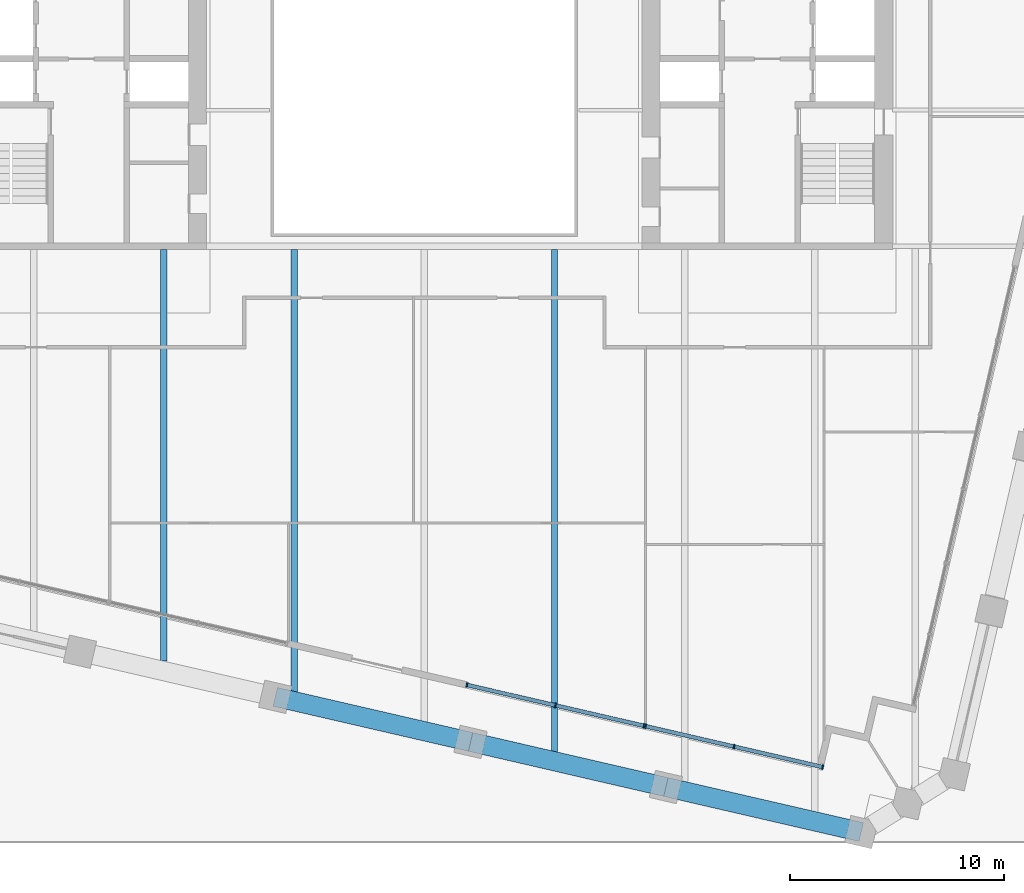
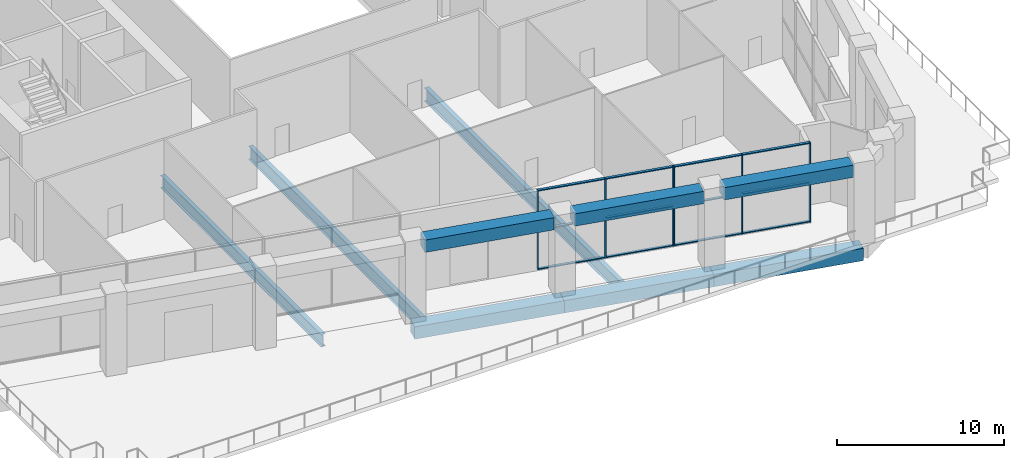
# One storey, part 3 of 23: 18 members, 9 beams, 2 elements without a shape of their own.
"""IFC4 building model written with IfcOpenShell, lengths in metres."""

from ifc_helpers import new_model, si_unit, direction, frame, origin, origin_2d, place, context, subcontext, project, spatial, rectangle, i_section, extrude, material, material_profile, profile_set, type_object, element, aggregate, save


model = new_model("IFC4")

# Units and contexts
model_context = context("Model", 3, precision=1e-05, world=origin(), true_north=direction((0.0, 1.0)))
body_context = subcontext(model_context, "Body", "Model", "MODEL_VIEW")
ifc_project = project(units=[si_unit("LENGTHUNIT", "METRE"), si_unit("AREAUNIT", "SQUARE_METRE"), si_unit("VOLUMEUNIT", "CUBIC_METRE"), si_unit("PLANEANGLEUNIT", "RADIAN"), si_unit("MASSUNIT", "GRAM", prefix="KILO")], contexts=[model_context])

# Site, building, storey
site_placement = place(None, origin())
site = spatial("IfcSite", under=ifc_project, at=site_placement, CompositionType="ELEMENT")
building_placement = place(site_placement, origin())
building = spatial("IfcBuilding", under=site, at=building_placement, Name="Ogive Exchange Tower", CompositionType="ELEMENT")
storey_placement = place(building_placement, frame((0.0, 0.0, 99.60009765625)))
storey = spatial("IfcBuildingStorey", under=building, at=storey_placement, Name="L21", CompositionType="ELEMENT", Elevation=99.60009765625)

# Beams
ifc_material_1 = material(Name="Steel ASTM A992 Gr50", Category="steel")
ifc_material_profile_1 = material_profile(ifc_material_1, i_section(OverallWidth=0.300048828125, OverallDepth=0.97998046875, WebThickness=0.0166015625, FlangeThickness=0.026123046875, at=origin_2d()), Name="W1000x249")
ifc_profile_set_1 = profile_set([ifc_material_profile_1], Name="Steel ASTM A992 Gr50")
beam_type_1 = type_object("IfcBeamType", Name="Floor beam W1000x249", PredefinedType="JOIST", material=ifc_profile_set_1)
beam_1_placement = place(storey_placement, frame((-6.073486328125, -23.498779296875, -0.940185546875), z_axis=(0.0, 1.0, 0.0), x_axis=(-1.0, 0.0, 0.0)))
element("IfcBeam", 1, at=beam_1_placement, inside=storey, type_object=beam_type_1, Name="Floor beam", PredefinedType="JOIST", context=body_context, shape_type="SweptSolid", body=[
    extrude(i_section(OverallWidth=0.300048828125, OverallDepth=0.97998046875, WebThickness=0.0166015625, FlangeThickness=0.026123046875, at=origin_2d()), origin(), (0.0, 0.0, 1.0), 20.753662109375),
])
beam_2_placement = place(storey_placement, frame((6.073486328125, -26.302978515625, -0.940185546875), z_axis=(0.0, 1.0, 0.0), x_axis=(-1.0, 0.0, 0.0)))
element("IfcBeam", 2, at=beam_2_placement, inside=storey, type_object=beam_type_1, Name="Floor beam", PredefinedType="JOIST", context=body_context, shape_type="SweptSolid", body=[
    extrude(i_section(OverallWidth=0.300048828125, OverallDepth=0.97998046875, WebThickness=0.0166015625, FlangeThickness=0.026123046875, at=origin_2d()), origin(), (0.0, 0.0, 1.0), 23.557861328125),
])
ifc_material_profile_2 = material_profile(ifc_material_1, i_section(OverallWidth=0.304931640625, OverallDepth=0.9189453125, WebThickness=0.017333984375, FlangeThickness=0.02783203125, at=origin_2d()), Name="W920x253")
ifc_profile_set_2 = profile_set([ifc_material_profile_2], Name="Steel ASTM A992 Gr50")
beam_type_2 = type_object("IfcBeamType", Name="Floor beam W920x253", PredefinedType="JOIST", material=ifc_profile_set_2)
beam_3_placement = place(storey_placement, frame((-12.146728515625, -21.94677734375, -0.90966796875), z_axis=(0.0, 1.0, 0.0), x_axis=(-1.0, 0.0, 0.0)))
element("IfcBeam", 3, at=beam_3_placement, inside=storey, type_object=beam_type_2, Name="Floor beam", PredefinedType="JOIST", context=body_context, shape_type="SweptSolid", body=[
    extrude(i_section(OverallWidth=0.304931640625, OverallDepth=0.9189453125, WebThickness=0.017333984375, FlangeThickness=0.02783203125, at=origin_2d()), origin(), (0.0, 0.0, 1.0), 19.19677734375),
])
ifc_material_2 = material(Name="Precast concrete C70/85 (limestone faced)", Category="masonry")
ifc_material_profile_3 = material_profile(ifc_material_2, rectangle(XDim=0.89990234375, YDim=0.89990234375, at=origin_2d()), Name="900 x 900")
ifc_profile_set_3 = profile_set([ifc_material_profile_3], Name="Precast concrete C70/85 (limestone faced)")
beam_type_3 = type_object("IfcBeamType", Name="Precast spandrel 900 x 900 C70/85", PredefinedType="SPANDREL", material=ifc_profile_set_3)
beam_4_placement = place(storey_placement, frame((-6.337158203125, -23.749755859375, 5.2998046875), z_axis=(0.974370337884, -0.224949871421, 0.0), x_axis=(0.224949871421, 0.974370337884, 0.0)))
element("IfcBeam", 4, at=beam_4_placement, inside=storey, type_object=beam_type_3, Name="Spandrel 4", PredefinedType="SPANDREL", context=body_context, shape_type="SweptSolid", body=[
    extrude(rectangle(XDim=0.89990234375, YDim=0.89990234375, at=origin_2d()), origin(), (0.0, 0.0, 1.0), 8.08984375),
])
beam_5_placement = place(storey_placement, frame((2.773193359375, -25.85302734375, 5.2998046875), z_axis=(0.974371864918, -0.224943256972, 0.0), x_axis=(0.224943256972, 0.974371864918, 0.0)))
element("IfcBeam", 5, at=beam_5_placement, inside=storey, type_object=beam_type_3, Name="Spandrel 5", PredefinedType="SPANDREL", context=body_context, shape_type="SweptSolid", body=[
    extrude(rectangle(XDim=0.89990234375, YDim=0.89990234375, at=origin_2d()), origin(), (0.0, 0.0, 1.0), 8.090087890625),
])
beam_6_placement = place(storey_placement, frame((11.883544921875, -27.956298828125, 5.2998046875), z_axis=(0.974370337884, -0.224949871421, 0.0), x_axis=(0.224949871421, 0.974370337884, 0.0)))
element("IfcBeam", 6, at=beam_6_placement, inside=storey, type_object=beam_type_3, Name="Spandrel 6", PredefinedType="SPANDREL", context=body_context, shape_type="SweptSolid", body=[
    extrude(rectangle(XDim=0.89990234375, YDim=0.89990234375, at=origin_2d()), origin(), (0.0, 0.0, 1.0), 8.08984375),
])
ifc_material_profile_4 = material_profile(ifc_material_2, rectangle(XDim=0.89990234375, YDim=0.89990234375, at=origin_2d()), Name="900 x 900")
ifc_profile_set_4 = profile_set([ifc_material_profile_4], Name="Precast concrete C70/85 (limestone faced)")
beam_type_4 = type_object("IfcBeamType", Name="Precast transfer girder 900 x 900 C70/85", PredefinedType="BEAM", material=ifc_profile_set_4)
for number, where, z_axis, x_axis, name in (
    (7, (-6.950927734375, -23.60791015625, -0.900146484375), (0.974370507876, -0.224949135099, 0.0), (0.224949135099, 0.974370507876, 0.0), "Transfer girder 4"),
    (8, (2.159423828125, -25.711181640625, -0.900146484375), (0.974364784413, -0.224973924925, 0.0), (0.224973924925, 0.974364784413, 0.0), "Transfer girder 5"),
    (9, (11.269775390625, -27.814697265625, -0.900146484375), (0.974370507876, -0.224949135099, 0.0), (0.224949135099, 0.974370507876, 0.0), "Transfer girder 6"),
):
    element("IfcBeam", number, at=place(storey_placement, frame(where, z_axis=z_axis, x_axis=x_axis)), inside=storey, type_object=beam_type_4, Name=name, PredefinedType="BEAM", context=body_context, shape_type="SweptSolid", body=[
        extrude(rectangle(XDim=0.89990234375, YDim=0.89990234375, at=origin_2d()), origin(), (0.0, 0.0, 1.0), 9.35009765625),
    ])

# Curtain wall, members
ifc_material_3 = material(Name="Anodised aluminium and clear glass", Category="aluminium")
curtain_wall_type = type_object("IfcCurtainWallType", Name="Sky lobby glazing", PredefinedType="NOTDEFINED", material=ifc_material_3)
curtain_wall_1_placement = place(storey_placement, origin())
curtain_wall_1 = element("IfcCurtainWall", 10, at=curtain_wall_1_placement, inside=storey, type_object=curtain_wall_type, Name="Sky lobby glazing run G5", PredefinedType="NOTDEFINED")
ifc_material_4 = material(Name="Anodised aluminium", Category="aluminium")
ifc_material_profile_5 = material_profile(ifc_material_4, rectangle(XDim=0.219970703125, YDim=0.070068359375, at=origin_2d()), Name="AL 70x220")
ifc_profile_set_5 = profile_set([ifc_material_profile_5], Name="Anodised aluminium")
member_type_1 = type_object("IfcMemberType", Name="Sky lobby glazing mullion 70 x 220", PredefinedType="MULLION", material=ifc_profile_set_5)
member_1_placement = place(storey_placement, frame((1.987548828125, -23.0546875, 0.0), z_axis=(0.0, 0.0, 1.0), x_axis=(0.224957737445, 0.974368521846, 0.0)))
member_1 = element("IfcMember", 11, at=member_1_placement, type_object=member_type_1, Name="G5 mullion 1", PredefinedType="MULLION", context=body_context, shape_type="SweptSolid", body=[
    extrude(rectangle(XDim=0.219970703125, YDim=0.070068359375, at=origin_2d()), origin(), (0.0, 0.0, 1.0), 5.7998046875),
])
member_2_placement = place(storey_placement, frame((6.118896484375, -24.00830078125, 0.0), z_axis=(0.0, 0.0, 1.0), x_axis=(0.224957737445, 0.974368521846, 0.0)))
member_2 = element("IfcMember", 12, at=member_2_placement, type_object=member_type_1, Name="G5 mullion 2", PredefinedType="MULLION", context=body_context, shape_type="SweptSolid", body=[
    extrude(rectangle(XDim=0.219970703125, YDim=0.070068359375, at=origin_2d()), origin(), (0.0, 0.0, 1.0), 5.7998046875),
])
member_3_placement = place(storey_placement, frame((10.250244140625, -24.962158203125, 0.0), z_axis=(0.0, 0.0, 1.0), x_axis=(0.224957737445, 0.974368521846, 0.0)))
member_3 = element("IfcMember", 13, at=member_3_placement, type_object=member_type_1, Name="G5 mullion 3", PredefinedType="MULLION", context=body_context, shape_type="SweptSolid", body=[
    extrude(rectangle(XDim=0.219970703125, YDim=0.070068359375, at=origin_2d()), origin(), (0.0, 0.0, 1.0), 5.7998046875),
])

curtain_wall_2_placement = place(storey_placement, origin())
curtain_wall_2 = element("IfcCurtainWall", 14, at=curtain_wall_2_placement, inside=storey, type_object=curtain_wall_type, Name="Sky lobby glazing run G6", PredefinedType="NOTDEFINED")
member_4_placement = place(storey_placement, frame((10.318603515625, -24.97802734375, 0.0), z_axis=(0.0, 0.0, 1.0), x_axis=(0.224949196986, 0.974370493588, 0.0)))
member_4 = element("IfcMember", 15, at=member_4_placement, type_object=member_type_1, Name="G6 mullion 1", PredefinedType="MULLION", context=body_context, shape_type="SweptSolid", body=[
    extrude(rectangle(XDim=0.219970703125, YDim=0.070068359375, at=origin_2d()), origin(), (0.0, 0.0, 1.0), 5.7998046875),
])
member_5_placement = place(storey_placement, frame((14.44970703125, -25.931640625, 0.0), z_axis=(0.0, 0.0, 1.0), x_axis=(0.224949196986, 0.974370493588, 0.0)))
member_5 = element("IfcMember", 16, at=member_5_placement, type_object=member_type_1, Name="G6 mullion 2", PredefinedType="MULLION", context=body_context, shape_type="SweptSolid", body=[
    extrude(rectangle(XDim=0.219970703125, YDim=0.070068359375, at=origin_2d()), origin(), (0.0, 0.0, 1.0), 5.7998046875),
])
member_6_placement = place(storey_placement, frame((18.5810546875, -26.885498046875, 0.0), z_axis=(0.0, 0.0, 1.0), x_axis=(0.224949196986, 0.974370493588, 0.0)))
member_6 = element("IfcMember", 17, at=member_6_placement, type_object=member_type_1, Name="G6 mullion 3", PredefinedType="MULLION", context=body_context, shape_type="SweptSolid", body=[
    extrude(rectangle(XDim=0.219970703125, YDim=0.070068359375, at=origin_2d()), origin(), (0.0, 0.0, 1.0), 5.7998046875),
])

# Member
ifc_material_profile_6 = material_profile(ifc_material_4, rectangle(XDim=0.179931640625, YDim=0.070068359375, at=origin_2d()), Name="AL 70x180")
ifc_profile_set_6 = profile_set([ifc_material_profile_6], Name="Anodised aluminium")
member_type_2 = type_object("IfcMemberType", Name="Sky lobby glazing transom 70 x 180", PredefinedType="USERDEFINED", material=ifc_profile_set_6)
member_7_placement = place(storey_placement, frame((2.021728515625, -23.0625, 0.034912109375), z_axis=(0.974374418682, -0.224932194711, 0.0), x_axis=(0.224932194711, 0.974374418682, 0.0)))
member_7 = element("IfcMember", 18, at=member_7_placement, type_object=member_type_2, Name="G5 transom 1.1", ObjectType="TRANSOM", PredefinedType="USERDEFINED", context=body_context, shape_type="SweptSolid", body=[
    extrude(rectangle(XDim=0.179931640625, YDim=0.070068359375, at=origin_2d()), origin(), (0.0, 0.0, 1.0), 4.170166015625),
])

member_8_placement = place(storey_placement, frame((2.021728515625, -23.0625, 2.89990234375), z_axis=(0.974374418682, -0.224932194711, 0.0), x_axis=(0.224932194711, 0.974374418682, 0.0)))
member_8 = element("IfcMember", 19, at=member_8_placement, type_object=member_type_2, Name="G5 transom 1.2", ObjectType="TRANSOM", PredefinedType="USERDEFINED", context=body_context, shape_type="SweptSolid", body=[
    extrude(rectangle(XDim=0.179931640625, YDim=0.070068359375, at=origin_2d()), origin(), (0.0, 0.0, 1.0), 4.170166015625),
])

member_9_placement = place(storey_placement, frame((2.021728515625, -23.0625, 5.764892578125), z_axis=(0.974374418682, -0.224932194711, 0.0), x_axis=(0.224932194711, 0.974374418682, 0.0)))
member_9 = element("IfcMember", 20, at=member_9_placement, type_object=member_type_2, Name="G5 transom 1.3", ObjectType="TRANSOM", PredefinedType="USERDEFINED", context=body_context, shape_type="SweptSolid", body=[
    extrude(rectangle(XDim=0.179931640625, YDim=0.070068359375, at=origin_2d()), origin(), (0.0, 0.0, 1.0), 4.170166015625),
])

member_10_placement = place(storey_placement, frame((6.153076171875, -24.016357421875, 0.034912109375), z_axis=(0.974374418682, -0.224932194711, 0.0), x_axis=(0.224932194711, 0.974374418682, 0.0)))
member_10 = element("IfcMember", 21, at=member_10_placement, type_object=member_type_2, Name="G5 transom 2.1", ObjectType="TRANSOM", PredefinedType="USERDEFINED", context=body_context, shape_type="SweptSolid", body=[
    extrude(rectangle(XDim=0.179931640625, YDim=0.070068359375, at=origin_2d()), origin(), (0.0, 0.0, 1.0), 4.170166015625),
])

member_11_placement = place(storey_placement, frame((6.153076171875, -24.016357421875, 2.89990234375), z_axis=(0.974374418682, -0.224932194711, 0.0), x_axis=(0.224932194711, 0.974374418682, 0.0)))
member_11 = element("IfcMember", 22, at=member_11_placement, type_object=member_type_2, Name="G5 transom 2.2", ObjectType="TRANSOM", PredefinedType="USERDEFINED", context=body_context, shape_type="SweptSolid", body=[
    extrude(rectangle(XDim=0.179931640625, YDim=0.070068359375, at=origin_2d()), origin(), (0.0, 0.0, 1.0), 4.170166015625),
])

member_12_placement = place(storey_placement, frame((6.153076171875, -24.016357421875, 5.764892578125), z_axis=(0.974374418682, -0.224932194711, 0.0), x_axis=(0.224932194711, 0.974374418682, 0.0)))
member_12 = element("IfcMember", 23, at=member_12_placement, type_object=member_type_2, Name="G5 transom 2.3", ObjectType="TRANSOM", PredefinedType="USERDEFINED", context=body_context, shape_type="SweptSolid", body=[
    extrude(rectangle(XDim=0.179931640625, YDim=0.070068359375, at=origin_2d()), origin(), (0.0, 0.0, 1.0), 4.170166015625),
])

aggregate(curtain_wall_1, [member_1, member_2, member_3, member_7, member_8, member_9, member_10, member_11, member_12])

member_13_placement = place(storey_placement, frame((10.3525390625, -24.98583984375, 0.034912109375), z_axis=(0.974374418682, -0.224932194711, 0.0), x_axis=(0.224932194711, 0.974374418682, 0.0)))
member_13 = element("IfcMember", 24, at=member_13_placement, type_object=member_type_2, Name="G6 transom 1.1", ObjectType="TRANSOM", PredefinedType="USERDEFINED", context=body_context, shape_type="SweptSolid", body=[
    extrude(rectangle(XDim=0.179931640625, YDim=0.070068359375, at=origin_2d()), origin(), (0.0, 0.0, 1.0), 4.170166015625),
])

member_14_placement = place(storey_placement, frame((10.3525390625, -24.98583984375, 2.89990234375), z_axis=(0.974374418682, -0.224932194711, 0.0), x_axis=(0.224932194711, 0.974374418682, 0.0)))
member_14 = element("IfcMember", 25, at=member_14_placement, type_object=member_type_2, Name="G6 transom 1.2", ObjectType="TRANSOM", PredefinedType="USERDEFINED", context=body_context, shape_type="SweptSolid", body=[
    extrude(rectangle(XDim=0.179931640625, YDim=0.070068359375, at=origin_2d()), origin(), (0.0, 0.0, 1.0), 4.170166015625),
])

member_15_placement = place(storey_placement, frame((10.3525390625, -24.98583984375, 5.764892578125), z_axis=(0.974374418682, -0.224932194711, 0.0), x_axis=(0.224932194711, 0.974374418682, 0.0)))
member_15 = element("IfcMember", 26, at=member_15_placement, type_object=member_type_2, Name="G6 transom 1.3", ObjectType="TRANSOM", PredefinedType="USERDEFINED", context=body_context, shape_type="SweptSolid", body=[
    extrude(rectangle(XDim=0.179931640625, YDim=0.070068359375, at=origin_2d()), origin(), (0.0, 0.0, 1.0), 4.170166015625),
])

member_16_placement = place(storey_placement, frame((14.48388671875, -25.939697265625, 0.034912109375), z_axis=(0.974371456344, -0.224945026756, 0.0), x_axis=(0.224945026756, 0.974371456344, 0.0)))
member_16 = element("IfcMember", 27, at=member_16_placement, type_object=member_type_2, Name="G6 transom 2.1", ObjectType="TRANSOM", PredefinedType="USERDEFINED", context=body_context, shape_type="SweptSolid", body=[
    extrude(rectangle(XDim=0.179931640625, YDim=0.070068359375, at=origin_2d()), origin(), (0.0, 0.0, 1.0), 4.169921875),
])

member_17_placement = place(storey_placement, frame((14.48388671875, -25.939697265625, 2.89990234375), z_axis=(0.974371456344, -0.224945026756, 0.0), x_axis=(0.224945026756, 0.974371456344, 0.0)))
member_17 = element("IfcMember", 28, at=member_17_placement, type_object=member_type_2, Name="G6 transom 2.2", ObjectType="TRANSOM", PredefinedType="USERDEFINED", context=body_context, shape_type="SweptSolid", body=[
    extrude(rectangle(XDim=0.179931640625, YDim=0.070068359375, at=origin_2d()), origin(), (0.0, 0.0, 1.0), 4.169921875),
])

member_18_placement = place(storey_placement, frame((14.48388671875, -25.939697265625, 5.764892578125), z_axis=(0.974371456344, -0.224945026756, 0.0), x_axis=(0.224945026756, 0.974371456344, 0.0)))
member_18 = element("IfcMember", 29, at=member_18_placement, type_object=member_type_2, Name="G6 transom 2.3", ObjectType="TRANSOM", PredefinedType="USERDEFINED", context=body_context, shape_type="SweptSolid", body=[
    extrude(rectangle(XDim=0.179931640625, YDim=0.070068359375, at=origin_2d()), origin(), (0.0, 0.0, 1.0), 4.169921875),
])

aggregate(curtain_wall_2, [member_4, member_5, member_6, member_13, member_14, member_15, member_16, member_17, member_18])

save(model, "model.ifc")
